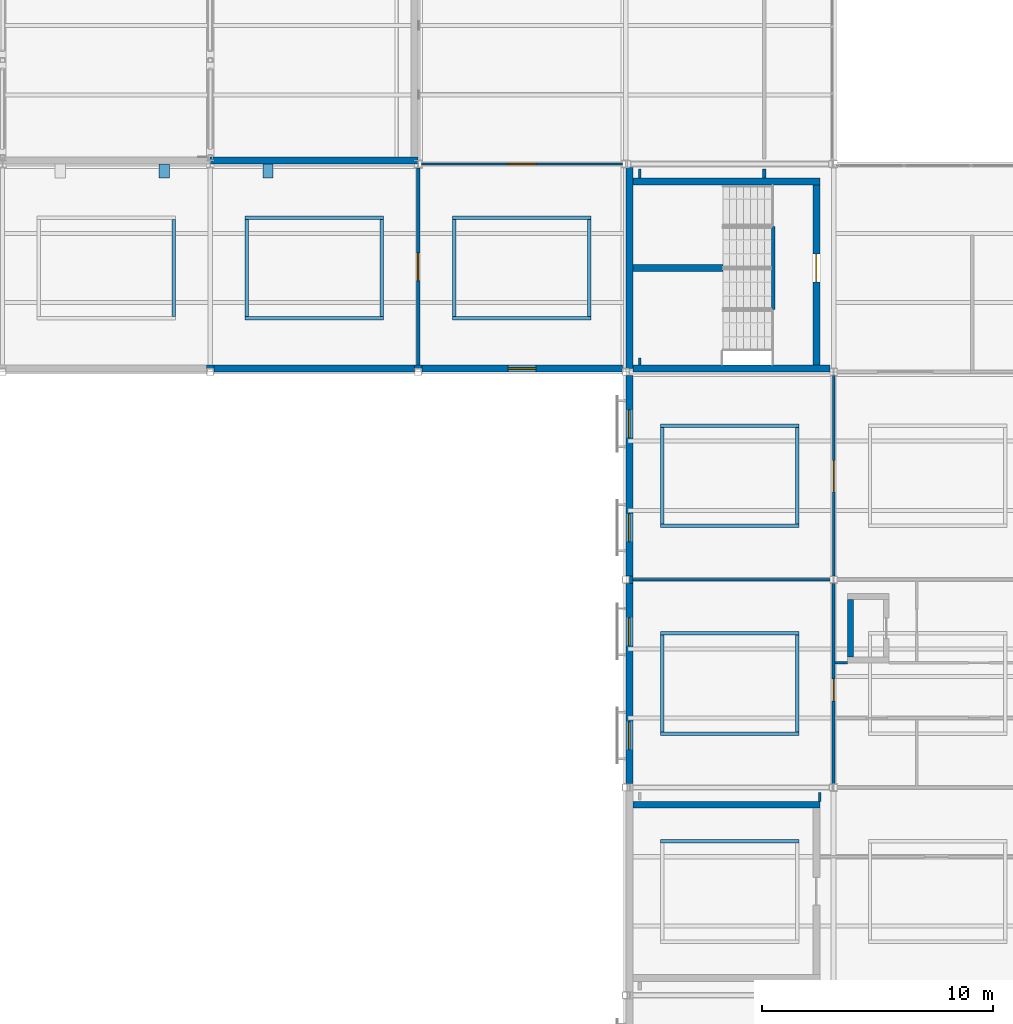
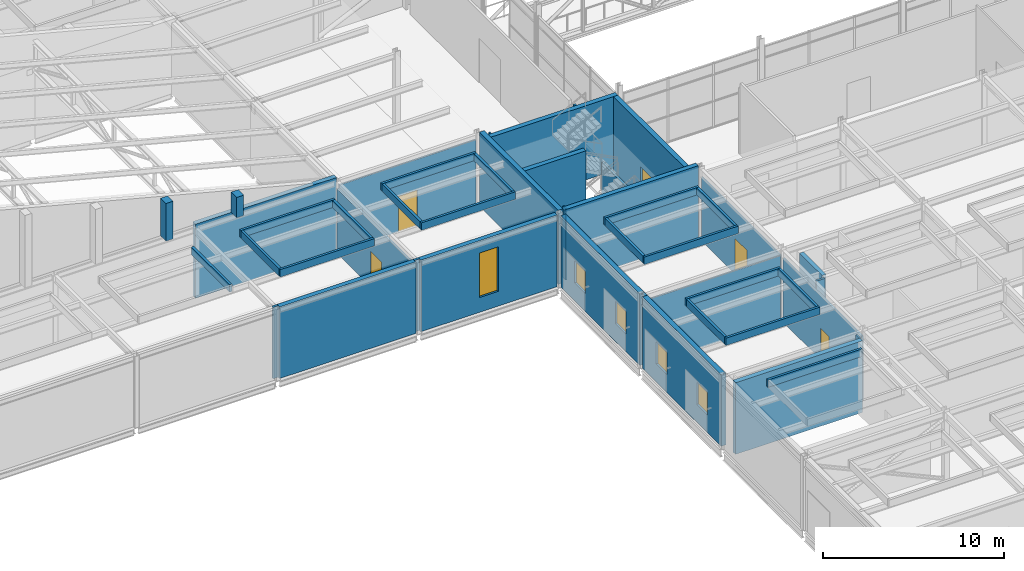
# One storey, part 77 of 115: 46 walls, 5 doors, 5 windows, 10 openings.
"""IFC4 building model written with IfcOpenShell, lengths in metres."""

from ifc_helpers import new_model, si_unit, direction, frame, frame_2d, origin, place, context, subcontext, project, spatial, rectangle, extrude, material, layer, layer_set, type_object, element, fill, save


model = new_model("IFC4")

# Units and contexts
model_context = context("Model", 3, precision=1e-05, world=origin(), true_north=direction((0.0, 1.0)))
body_context = subcontext(model_context, "Body", "Model", "MODEL_VIEW")
ifc_project = project(units=[si_unit("LENGTHUNIT", "METRE"), si_unit("AREAUNIT", "SQUARE_METRE"), si_unit("VOLUMEUNIT", "CUBIC_METRE"), si_unit("PLANEANGLEUNIT", "RADIAN"), si_unit("MASSUNIT", "GRAM", prefix="KILO")], contexts=[model_context])

# Site, building, storey
site_placement = place(None, origin())
site = spatial("IfcSite", under=ifc_project, at=site_placement, CompositionType="ELEMENT")
building_placement = place(site_placement, origin())
building = spatial("IfcBuilding", under=site, at=building_placement, Name="Shorebreak Coast Museum", CompositionType="ELEMENT")
storey_placement = place(building_placement, frame((0.0, 0.0, 11.0)))
storey = spatial("IfcBuildingStorey", under=building, at=storey_placement, Name="L02", CompositionType="ELEMENT", Elevation=11.0)

# Walls
ifc_material_1 = material(Name="Concrete N50 (50 MPa)", Category="concrete")
ifc_layer_1 = layer(ifc_material_1, 0.14990234375)
ifc_layer_set_1 = layer_set([ifc_layer_1], Name="Concrete N50 (50 MPa)")
wall_type_1 = type_object("IfcWallType", Name="Column closure panel 150", PredefinedType="SOLIDWALL", material=ifc_layer_set_1)
for number, where, z_axis, x_axis, name in (
    (1, (35.839111328125, 54.22509765625, 0.0), (0.0, 0.0, 1.0), (1.0, 0.0, 0.0), "Column closure panel L02 S 5G"),
    (2, (44.839111328125, 54.22509765625, 0.0), (0.0, 0.0, 1.0), (1.0, 0.0, 0.0), "Column closure panel L02 S 6G"),
    (3, (54.22509765625, 44.839111328125, 0.0), (0.0, 0.0, 1.0), (0.0, 1.0, 0.0), "Column closure panel L02 W 7F"),
):
    element("IfcWall", number, at=place(storey_placement, frame(where, z_axis=z_axis, x_axis=x_axis)), inside=storey, type_object=wall_type_1, Name=name, PredefinedType="SOLIDWALL", context=body_context, shape_type="SweptSolid", body=[
        extrude(rectangle(XDim=0.32177734375, YDim=0.14990234375, at=frame_2d((0.160888671875, 0.0))), origin(), (0.0, 0.0, 1.0), 4.824951171875),
    ])

# Wall, opening, door
ifc_material_2 = material(Name="Plasterboard on steel stud", Category="steel")
ifc_layer_2 = layer(ifc_material_2, 0.14990234375)
ifc_layer_set_2 = layer_set([ifc_layer_2], Name="Plasterboard on steel stud")
wall_type_2 = type_object("IfcWallType", Name="Fire partition 150", PredefinedType="PARTITIONING", material=ifc_layer_set_2)
wall_1_placement = place(storey_placement, frame((45.0, 54.300048828125, 0.0), z_axis=(0.0, 0.0, 1.0), x_axis=(0.0, 1.0, 0.0)))
wall_1 = element("IfcWall", 4, at=wall_1_placement, inside=storey, type_object=wall_type_2, Name="Partition L02-097", PredefinedType="PARTITIONING", context=body_context, shape_type="SweptSolid", body=[
    extrude(rectangle(XDim=8.536376953125, YDim=0.14990234375, at=frame_2d((4.26806640625, 0.0))), origin(), (0.0, 0.0, 1.0), 4.37109375),
])
opening_1_placement = place(wall_1_placement, frame((3.64990234375, 0.0, 0.0)))
opening_1 = element("IfcOpeningElement", 5, at=opening_1_placement, cuts=wall_1, Name="Opening D2051", PredefinedType="OPENING", context=body_context, shape_type="SweptSolid", body=[
    extrude(rectangle(XDim=1.199951171875, YDim=2.39990234375, at=frame_2d((0.60009765625, 1.199951171875))), frame((0.0, 0.0849609375, 0.0), z_axis=(0.0, -1.0, 0.0), x_axis=(1.0, 0.0, 0.0)), (0.0, 0.0, 1.0), 0.169921875),
])
ifc_material_3 = material(Name="Steel", Category="steel")
door_type_1 = type_object("IfcDoorType", Name="Fire door 1200x2400 60", OperationType="SINGLE_SWING_LEFT", PredefinedType="DOOR", material=ifc_material_3)
door_1_placement = place(opening_1_placement, origin())
door_1 = element("IfcDoor", 6, at=door_1_placement, inside=storey, type_object=door_type_1, Name="Door D2051 Maritime Gallery", OperationType="SINGLE_SWING_LEFT", OverallHeight=2.39990234375, OverallWidth=1.199951171875, PredefinedType="DOOR", context=body_context, shape_type="SweptSolid", body=[
    extrude(rectangle(XDim=1.199951171875, YDim=2.39990234375, at=frame_2d((0.60009765625, 1.199951171875))), frame((0.0, 0.02490234375, 0.0), z_axis=(0.0, -1.0, 0.0), x_axis=(1.0, 0.0, 0.0)), (0.0, 0.0, 1.0), 0.050048828125),
])
fill(opening_1, door_1)

# Walls
wall_2_placement = place(storey_placement, frame((60.0, 62.39990234375, 0.0), z_axis=(0.0, 0.0, 1.0), x_axis=(0.0, 1.0, 0.0)))
element("IfcWall", 7, at=wall_2_placement, inside=storey, type_object=wall_type_2, Name="Partition L02-108", PredefinedType="PARTITIONING", context=body_context, shape_type="SweptSolid", body=[
    extrude(rectangle(XDim=0.380126953125, YDim=0.14990234375, at=frame_2d((0.18994140625, 0.0))), origin(), (0.0, 0.0, 1.0), 4.824951171875),
])
ifc_material_4 = material(Name="Plasterboard on steel stud", Category="steel")
ifc_layer_3 = layer(ifc_material_4, 0.10009765625)
ifc_layer_set_3 = layer_set([ifc_layer_3], Name="Plasterboard on steel stud")
wall_type_3 = type_object("IfcWallType", Name="Partition 100", PredefinedType="PARTITIONING", material=ifc_layer_set_3)
wall_3_placement = place(storey_placement, frame((54.300048828125, 45.0, 0.0), z_axis=(0.0, 0.0, 1.0), x_axis=(1.0, 0.0, 0.0)))
element("IfcWall", 8, at=wall_3_placement, inside=storey, type_object=wall_type_3, Name="Partition L02-026", PredefinedType="PARTITIONING", context=body_context, shape_type="SweptSolid", body=[
    extrude(rectangle(XDim=8.54638671875, YDim=0.10009765625, at=frame_2d((4.273193359375, 0.0))), origin(), (0.0, 0.0, 1.0), 4.418701171875),
])

# Wall, opening, door
wall_4_placement = place(storey_placement, frame((45.155517578125, 63.0, 0.0), z_axis=(0.0, 0.0, 1.0), x_axis=(1.0, 0.0, 0.0)))
wall_4 = element("IfcWall", 9, at=wall_4_placement, inside=storey, type_object=wall_type_3, Name="Partition L02-043", PredefinedType="PARTITIONING", context=body_context, shape_type="SweptSolid", body=[
    extrude(rectangle(XDim=8.69091796875, YDim=0.10009765625, at=frame_2d((4.345458984375, 0.0))), origin(), (0.0, 0.0, 1.0), 4.469482421875),
])
opening_2_placement = place(wall_4_placement, frame((3.75, 0.0, 0.0)))
opening_2 = element("IfcOpeningElement", 10, at=opening_2_placement, cuts=wall_4, Name="Opening D2070", PredefinedType="OPENING", context=body_context, shape_type="SweptSolid", body=[
    extrude(rectangle(XDim=1.199951171875, YDim=2.39990234375, at=frame_2d((0.60009765625, 1.199951171875))), frame((0.0, 0.06005859375, 0.0), z_axis=(0.0, -1.0, 0.0), x_axis=(1.0, 0.0, 0.0)), (0.0, 0.0, 1.0), 0.1201171875),
])
ifc_material_5 = material(Name="Timber", Category="wood")
door_type_2 = type_object("IfcDoorType", Name="Interior door 1200x2400", OperationType="SINGLE_SWING_LEFT", PredefinedType="DOOR", material=ifc_material_5)
door_2_placement = place(opening_2_placement, origin())
door_2 = element("IfcDoor", 11, at=door_2_placement, inside=storey, type_object=door_type_2, Name="Door D2070 Maritime Gallery", OperationType="SINGLE_SWING_LEFT", OverallHeight=2.39990234375, OverallWidth=1.199951171875, PredefinedType="DOOR", context=body_context, shape_type="SweptSolid", body=[
    extrude(rectangle(XDim=1.199951171875, YDim=2.39990234375, at=frame_2d((0.60009765625, 1.199951171875))), frame((0.0, 0.02490234375, 0.0), z_axis=(0.0, -1.0, 0.0), x_axis=(1.0, 0.0, 0.0)), (0.0, 0.0, 1.0), 0.050048828125),
])
fill(opening_2, door_2)

# Walls
wall_5_placement = place(storey_placement, frame((54.60009765625, 54.300048828125, 0.0), z_axis=(0.0, 0.0, 1.0), x_axis=(0.0, 1.0, 0.0)))
element("IfcWall", 12, at=wall_5_placement, inside=storey, type_object=wall_type_3, Name="Partition L02-102", PredefinedType="PARTITIONING", context=body_context, shape_type="SweptSolid", body=[
    extrude(rectangle(XDim=0.300048828125, YDim=0.10009765625, at=frame_2d((0.14990234375, 0.0))), origin(), (0.0, 0.0, 1.0), 4.824951171875),
])
for number, where, z_axis, x_axis, name in (
    (13, (54.60009765625, 62.39990234375, 0.0), (0.0, 0.0, 1.0), (0.0, 1.0, 0.0), "Partition L02-103"),
    (14, (62.39990234375, 35.39990234375, 0.0), (0.0, 0.0, 1.0), (0.0, 1.0, 0.0), "Partition L02-113"),
):
    element("IfcWall", number, at=place(storey_placement, frame(where, z_axis=z_axis, x_axis=x_axis)), inside=storey, type_object=wall_type_3, Name=name, PredefinedType="PARTITIONING", context=body_context, shape_type="SweptSolid", body=[
        extrude(rectangle(XDim=0.380126953125, YDim=0.10009765625, at=frame_2d((0.18994140625, 0.0))), origin(), (0.0, 0.0, 1.0), 4.824951171875),
    ])

# Wall, opening, door
wall_6_placement = place(storey_placement, frame((63.0, 45.1572265625, 0.0), z_axis=(0.0, 0.0, 1.0), x_axis=(0.0, 1.0, 0.0)))
wall_6 = element("IfcWall", 15, at=wall_6_placement, inside=storey, type_object=wall_type_3, Name="Partition L02-116", PredefinedType="PARTITIONING", context=body_context, shape_type="SweptSolid", body=[
    extrude(rectangle(XDim=8.685546875, YDim=0.10009765625, at=frame_2d((4.3427734375, 0.0))), origin(), (0.0, 0.0, 1.0), 4.296875),
])
opening_3_placement = place(wall_6_placement, frame((3.64990234375, 0.0, 0.0)))
opening_3 = element("IfcOpeningElement", 16, at=opening_3_placement, cuts=wall_6, Name="Opening D2045", PredefinedType="OPENING", context=body_context, shape_type="SweptSolid", body=[
    extrude(rectangle(XDim=1.35009765625, YDim=2.39990234375, at=frame_2d((0.675048828125, 1.199951171875))), frame((0.0, 0.06005859375, 0.0), z_axis=(0.0, -1.0, 0.0), x_axis=(1.0, 0.0, 0.0)), (0.0, 0.0, 1.0), 0.1201171875),
])
ifc_material_6 = material(Name="Timber", Category="wood")
door_type_3 = type_object("IfcDoorType", Name="Interior door 1350x2400", OperationType="SINGLE_SWING_LEFT", PredefinedType="DOOR", material=ifc_material_6)
door_3_placement = place(opening_3_placement, origin())
door_3 = element("IfcDoor", 17, at=door_3_placement, inside=storey, type_object=door_type_3, Name="Door D2045 Collection Store 2.03", OperationType="SINGLE_SWING_RIGHT", OverallHeight=2.39990234375, OverallWidth=1.35009765625, PredefinedType="DOOR", context=body_context, shape_type="SweptSolid", body=[
    extrude(rectangle(XDim=1.35009765625, YDim=2.39990234375, at=frame_2d((0.675048828125, 1.199951171875))), frame((0.0, 0.02490234375, 0.0), z_axis=(0.0, -1.0, 0.0), x_axis=(1.0, 0.0, 0.0)), (0.0, 0.0, 1.0), 0.050048828125),
])
fill(opening_3, door_3)

# Wall
ifc_material_7 = material(Name="Plasterboard on steel stud", Category="steel")
ifc_layer_4 = layer(ifc_material_7, 0.125)
ifc_layer_set_4 = layer_set([ifc_layer_4], Name="Plasterboard on steel stud")
wall_type_4 = type_object("IfcWallType", Name="Partition 125", PredefinedType="PARTITIONING", material=ifc_layer_set_4)
wall_7_placement = place(storey_placement, frame((63.0625, 41.39990234375, 0.0), z_axis=(0.0, 0.0, 1.0), x_axis=(1.0, 0.0, 0.0)))
element("IfcWall", 18, at=wall_7_placement, inside=storey, type_object=wall_type_4, Name="Partition L02-022", PredefinedType="PARTITIONING", context=body_context, shape_type="SweptSolid", body=[
    extrude(rectangle(XDim=0.53759765625, YDim=0.125, at=frame_2d((0.268798828125, 0.0))), origin(), (0.0, 0.0, 1.0), 4.824951171875),
])

# Wall, opening, door
wall_8_placement = place(storey_placement, frame((63.0, 36.1572265625, 0.0), z_axis=(0.0, 0.0, 1.0), x_axis=(0.0, 1.0, 0.0)))
wall_8 = element("IfcWall", 19, at=wall_8_placement, inside=storey, type_object=wall_type_4, Name="Partition L02-115", PredefinedType="PARTITIONING", context=body_context, shape_type="SweptSolid", body=[
    extrude(rectangle(XDim=8.685546875, YDim=0.125, at=frame_2d((4.3427734375, 0.0))), origin(), (0.0, 0.0, 1.0), 4.296875),
])
opening_4_placement = place(wall_8_placement, frame((3.5927734375, 0.0, 0.0)))
opening_4 = element("IfcOpeningElement", 20, at=opening_4_placement, cuts=wall_8, Name="Opening D2041", PredefinedType="OPENING", context=body_context, shape_type="SweptSolid", body=[
    extrude(rectangle(XDim=0.949951171875, YDim=2.10009765625, at=frame_2d((0.47509765625, 1.050048828125))), frame((0.0, 0.072509765625, 0.0), z_axis=(0.0, -1.0, 0.0), x_axis=(1.0, 0.0, 0.0)), (0.0, 0.0, 1.0), 0.14501953125),
])
ifc_material_8 = material(Name="Timber", Category="wood")
door_type_4 = type_object("IfcDoorType", Name="Interior door 950x2100", OperationType="SINGLE_SWING_LEFT", PredefinedType="DOOR", material=ifc_material_8)
door_4_placement = place(opening_4_placement, origin())
door_4 = element("IfcDoor", 21, at=door_4_placement, inside=storey, type_object=door_type_4, Name="Door D2041 Collections Office 2.01", OperationType="SINGLE_SWING_LEFT", OverallHeight=2.10009765625, OverallWidth=0.949951171875, PredefinedType="DOOR", context=body_context, shape_type="SweptSolid", body=[
    extrude(rectangle(XDim=0.949951171875, YDim=2.10009765625, at=frame_2d((0.47509765625, 1.050048828125))), frame((0.0, 0.02490234375, 0.0), z_axis=(0.0, -1.0, 0.0), x_axis=(1.0, 0.0, 0.0)), (0.0, 0.0, 1.0), 0.050048828125),
])
fill(opening_4, door_4)

# Walls
ifc_material_9 = material(Name="Concrete N50 (50 MPa)", Category="concrete")
ifc_layer_5 = layer(ifc_material_9, 0.14990234375)
ifc_layer_set_5 = layer_set([ifc_layer_5], Name="Concrete N50 (50 MPa)")
wall_type_5 = type_object("IfcWallType", Name="Planter wall 150 high 500", PredefinedType="PARAPET", material=ifc_layer_set_5)
wall_9_placement = place(storey_placement, frame((34.425048828125, 56.39990234375, 5.0), z_axis=(0.0, 0.0, 1.0), x_axis=(0.0, 1.0, 0.0)))
element("IfcWall", 22, at=wall_9_placement, inside=storey, type_object=wall_type_5, Name="Planter WDECK-S 4 east wall", PredefinedType="PARAPET", context=body_context, shape_type="SweptSolid", body=[
    extrude(rectangle(XDim=4.2001953125, YDim=0.14990234375, at=frame_2d((2.10009765625, 0.0))), origin(), (0.0, 0.0, 1.0), 0.5),
])
for number, where, z_axis, x_axis, name in (
    (23, (37.5, 56.324951171875, 5.0), (0.0, 0.0, 1.0), (1.0, 0.0, 0.0), "Planter WDECK-S 5 south wall"),
    (24, (37.5, 60.675048828125, 5.0), (0.0, 0.0, 1.0), (1.0, 0.0, 0.0), "Planter WDECK-S 5 north wall"),
):
    element("IfcWall", number, at=place(storey_placement, frame(where, z_axis=z_axis, x_axis=x_axis)), inside=storey, type_object=wall_type_5, Name=name, PredefinedType="PARAPET", context=body_context, shape_type="SweptSolid", body=[
        extrude(rectangle(XDim=6.0, YDim=0.14990234375, at=frame_2d((3.0, 0.0))), origin(), (0.0, 0.0, 1.0), 0.5),
    ])
for number, where, z_axis, x_axis, name in (
    (25, (37.574951171875, 56.39990234375, 5.0), (0.0, 0.0, 1.0), (0.0, 1.0, 0.0), "Planter WDECK-S 5 west wall"),
    (26, (43.425048828125, 56.39990234375, 5.0), (0.0, 0.0, 1.0), (0.0, 1.0, 0.0), "Planter WDECK-S 5 east wall"),
):
    element("IfcWall", number, at=place(storey_placement, frame(where, z_axis=z_axis, x_axis=x_axis)), inside=storey, type_object=wall_type_5, Name=name, PredefinedType="PARAPET", context=body_context, shape_type="SweptSolid", body=[
        extrude(rectangle(XDim=4.2001953125, YDim=0.14990234375, at=frame_2d((2.10009765625, 0.0))), origin(), (0.0, 0.0, 1.0), 0.5),
    ])
for number, where, z_axis, x_axis, name in (
    (27, (46.5, 56.324951171875, 5.0), (0.0, 0.0, 1.0), (1.0, 0.0, 0.0), "Planter WDECK-S 6 south wall"),
    (28, (46.5, 60.675048828125, 5.0), (0.0, 0.0, 1.0), (1.0, 0.0, 0.0), "Planter WDECK-S 6 north wall"),
):
    element("IfcWall", number, at=place(storey_placement, frame(where, z_axis=z_axis, x_axis=x_axis)), inside=storey, type_object=wall_type_5, Name=name, PredefinedType="PARAPET", context=body_context, shape_type="SweptSolid", body=[
        extrude(rectangle(XDim=6.0, YDim=0.14990234375, at=frame_2d((3.0, 0.0))), origin(), (0.0, 0.0, 1.0), 0.5),
    ])
for number, where, z_axis, x_axis, name in (
    (29, (46.574951171875, 56.39990234375, 5.0), (0.0, 0.0, 1.0), (0.0, 1.0, 0.0), "Planter WDECK-S 6 west wall"),
    (30, (52.425048828125, 56.39990234375, 5.0), (0.0, 0.0, 1.0), (0.0, 1.0, 0.0), "Planter WDECK-S 6 east wall"),
):
    element("IfcWall", number, at=place(storey_placement, frame(where, z_axis=z_axis, x_axis=x_axis)), inside=storey, type_object=wall_type_5, Name=name, PredefinedType="PARAPET", context=body_context, shape_type="SweptSolid", body=[
        extrude(rectangle(XDim=4.2001953125, YDim=0.14990234375, at=frame_2d((2.10009765625, 0.0))), origin(), (0.0, 0.0, 1.0), 0.5),
    ])
for number, where, z_axis, x_axis, name in (
    (31, (55.5, 33.675048828125, 5.0), (0.0, 0.0, 1.0), (1.0, 0.0, 0.0), "Planter SDECK 37 north wall"),
    (32, (55.5, 38.324951171875, 5.0), (0.0, 0.0, 1.0), (1.0, 0.0, 0.0), "Planter SDECK 44 south wall"),
    (33, (55.5, 42.675048828125, 5.0), (0.0, 0.0, 1.0), (1.0, 0.0, 0.0), "Planter SDECK 44 north wall"),
):
    element("IfcWall", number, at=place(storey_placement, frame(where, z_axis=z_axis, x_axis=x_axis)), inside=storey, type_object=wall_type_5, Name=name, PredefinedType="PARAPET", context=body_context, shape_type="SweptSolid", body=[
        extrude(rectangle(XDim=6.0, YDim=0.14990234375, at=frame_2d((3.0, 0.0))), origin(), (0.0, 0.0, 1.0), 0.5),
    ])
for number, where, z_axis, x_axis, name in (
    (34, (55.574951171875, 38.39990234375, 5.0), (0.0, 0.0, 1.0), (0.0, 1.0, 0.0), "Planter SDECK 44 west wall"),
    (35, (61.425048828125, 38.39990234375, 5.0), (0.0, 0.0, 1.0), (0.0, 1.0, 0.0), "Planter SDECK 44 east wall"),
):
    element("IfcWall", number, at=place(storey_placement, frame(where, z_axis=z_axis, x_axis=x_axis)), inside=storey, type_object=wall_type_5, Name=name, PredefinedType="PARAPET", context=body_context, shape_type="SweptSolid", body=[
        extrude(rectangle(XDim=4.2001953125, YDim=0.14990234375, at=frame_2d((2.10009765625, 0.0))), origin(), (0.0, 0.0, 1.0), 0.5),
    ])
for number, where, z_axis, x_axis, name in (
    (36, (55.5, 47.324951171875, 5.0), (0.0, 0.0, 1.0), (1.0, 0.0, 0.0), "Planter SDECK 51 south wall"),
    (37, (55.5, 51.675048828125, 5.0), (0.0, 0.0, 1.0), (1.0, 0.0, 0.0), "Planter SDECK 51 north wall"),
):
    element("IfcWall", number, at=place(storey_placement, frame(where, z_axis=z_axis, x_axis=x_axis)), inside=storey, type_object=wall_type_5, Name=name, PredefinedType="PARAPET", context=body_context, shape_type="SweptSolid", body=[
        extrude(rectangle(XDim=6.0, YDim=0.14990234375, at=frame_2d((3.0, 0.0))), origin(), (0.0, 0.0, 1.0), 0.5),
    ])
for number, where, z_axis, x_axis, name in (
    (38, (55.574951171875, 47.39990234375, 5.0), (0.0, 0.0, 1.0), (0.0, 1.0, 0.0), "Planter SDECK 51 west wall"),
    (39, (61.425048828125, 47.39990234375, 5.0), (0.0, 0.0, 1.0), (0.0, 1.0, 0.0), "Planter SDECK 51 east wall"),
):
    element("IfcWall", number, at=place(storey_placement, frame(where, z_axis=z_axis, x_axis=x_axis)), inside=storey, type_object=wall_type_5, Name=name, PredefinedType="PARAPET", context=body_context, shape_type="SweptSolid", body=[
        extrude(rectangle(XDim=4.2001953125, YDim=0.14990234375, at=frame_2d((2.10009765625, 0.0))), origin(), (0.0, 0.0, 1.0), 0.5),
    ])
ifc_material_10 = material(Name="Concrete N50 (50 MPa)", Category="concrete")
ifc_layer_6 = layer(ifc_material_10, 0.300048828125)
ifc_layer_set_6 = layer_set([ifc_layer_6], Name="Concrete N50 (50 MPa)")
wall_type_6 = type_object("IfcWallType", Name="Precast board-marked panel 300", PredefinedType="SOLIDWALL", material=ifc_layer_set_6)
wall_10_placement = place(storey_placement, frame((36.160888671875, 54.14990234375, 0.0), z_axis=(0.0, 0.0, 1.0), x_axis=(1.0, 0.0, 0.0)))
element("IfcWall", 40, at=wall_10_placement, inside=storey, type_object=wall_type_6, Name="External wall L02 S 5G", PredefinedType="SOLIDWALL", context=body_context, shape_type="SweptSolid", body=[
    extrude(rectangle(XDim=8.67822265625, YDim=0.300048828125, at=frame_2d((4.339111328125, 0.0))), origin(), (0.0, 0.0, 1.0), 4.824951171875),
])

# Wall, opening, window
wall_11_placement = place(storey_placement, frame((45.160888671875, 54.14990234375, 0.0), z_axis=(0.0, 0.0, 1.0), x_axis=(1.0, 0.0, 0.0)))
wall_11 = element("IfcWall", 41, at=wall_11_placement, inside=storey, type_object=wall_type_6, Name="External wall L02 S 6G", PredefinedType="SOLIDWALL", context=body_context, shape_type="SweptSolid", body=[
    extrude(rectangle(XDim=8.689208984375, YDim=0.300048828125, at=frame_2d((4.3447265625, 0.0))), origin(), (0.0, 0.0, 1.0), 4.824951171875),
])
opening_5_placement = place(wall_11_placement, frame((3.739013671875, 0.0, 1.0)))
opening_5 = element("IfcOpeningElement", 42, at=opening_5_placement, cuts=wall_11, Name="Opening WN2048", PredefinedType="OPENING", context=body_context, shape_type="SweptSolid", body=[
    extrude(rectangle(XDim=1.199951171875, YDim=3.0, at=frame_2d((0.60009765625, 1.5))), frame((0.0, 0.159912109375, 0.0), z_axis=(0.0, -1.0, 0.0), x_axis=(1.0, 0.0, 0.0)), (0.0, 0.0, 1.0), 0.320068359375),
])
ifc_material_11 = material(Name="Aluminium", Category="aluminium")
window_type_1 = type_object("IfcWindowType", Name="Foyer slot window 1200 x 3000", PartitioningType="SINGLE_PANEL", PredefinedType="WINDOW", material=ifc_material_11)
window_1_placement = place(opening_5_placement, origin())
window_1 = element("IfcWindow", 43, at=window_1_placement, inside=storey, type_object=window_type_1, Name="Window WN2048", OverallHeight=3.0, OverallWidth=1.199951171875, PartitioningType="SINGLE_PANEL", PredefinedType="WINDOW", context=body_context, shape_type="SweptSolid", body=[
    extrude(rectangle(XDim=1.199951171875, YDim=3.0, at=frame_2d((0.60009765625, 1.5))), frame((0.0, 0.030029296875, 0.0), z_axis=(0.0, -1.0, 0.0), x_axis=(1.0, 0.0, 0.0)), (0.0, 0.0, 1.0), 0.06005859375),
])
fill(opening_5, window_1)

# Walls
ifc_material_12 = material(Name="Concrete N50 (50 MPa)", Category="concrete")
ifc_layer_7 = layer(ifc_material_12, 0.25)
ifc_layer_set_7 = layer_set([ifc_layer_7], Name="Concrete N50 (50 MPa)")
wall_type_7 = type_object("IfcWallType", Name="RC riser wall 250", PredefinedType="STANDARD", material=ifc_layer_set_7)
wall_12_placement = place(storey_placement, frame((63.72509765625, 41.64990234375, 0.0), z_axis=(0.0, 0.0, 1.0), x_axis=(0.0, 1.0, 0.0)))
element("IfcWall", 44, at=wall_12_placement, inside=storey, type_object=wall_type_7, Name="Riser wall R-WC-S L02 W", PredefinedType="STANDARD", context=body_context, shape_type="SweptSolid", body=[
    extrude(rectangle(XDim=2.5, YDim=0.25, at=frame_2d((1.25, 0.0))), origin(), (0.0, 0.0, 1.0), 4.824951171875),
])
ifc_material_13 = material(Name="Concrete N50 (50 MPa)", Category="concrete")
ifc_layer_8 = layer(ifc_material_13, 0.300048828125)
ifc_layer_set_8 = layer_set([ifc_layer_8], Name="Concrete N50 (50 MPa)")
wall_type_8 = type_object("IfcWallType", Name="RC wall 300", PredefinedType="SHEAR", material=ifc_layer_set_8)
wall_13_placement = place(storey_placement, frame((54.300048828125, 54.14990234375, 0.0), z_axis=(0.0, 0.0, 1.0), x_axis=(1.0, 0.0, 0.0)))
element("IfcWall", 45, at=wall_13_placement, inside=storey, type_object=wall_type_8, Name="Stair core wall ST01 L02 S", PredefinedType="SHEAR", context=body_context, shape_type="SweptSolid", body=[
    extrude(rectangle(XDim=8.54638671875, YDim=0.300048828125, at=frame_2d((4.273193359375, 0.0))), origin(), (0.0, 0.0, 1.0), 5.0),
])
wall_14_placement = place(storey_placement, frame((54.300048828125, 62.25, 0.0), z_axis=(0.0, 0.0, 1.0), x_axis=(1.0, 0.0, 0.0)))
element("IfcWall", 46, at=wall_14_placement, inside=storey, type_object=wall_type_8, Name="Stair core wall ST01 L02 N", PredefinedType="SHEAR", context=body_context, shape_type="SweptSolid", body=[
    extrude(rectangle(XDim=8.099853515625, YDim=0.300048828125, at=frame_2d((4.0498046875, 0.0))), origin(), (0.0, 0.0, 1.0), 5.0),
])
wall_15_placement = place(storey_placement, frame((54.14990234375, 54.14990234375, 0.0), z_axis=(0.0, 0.0, 1.0), x_axis=(0.0, 1.0, 0.0)))
element("IfcWall", 47, at=wall_15_placement, inside=storey, type_object=wall_type_8, Name="Stair core wall ST01 L02 W", PredefinedType="SHEAR", context=body_context, shape_type="SweptSolid", body=[
    extrude(rectangle(XDim=8.69287109375, YDim=0.300048828125, at=frame_2d((4.346435546875, 0.0))), origin(), (0.0, 0.0, 1.0), 5.0),
])

# Wall, opening, door
wall_16_placement = place(storey_placement, frame((62.25, 54.300048828125, 0.0), z_axis=(0.0, 0.0, 1.0), x_axis=(0.0, 1.0, 0.0)))
wall_16 = element("IfcWall", 48, at=wall_16_placement, inside=storey, type_object=wall_type_8, Name="Stair core wall ST01 L02 E", PredefinedType="SHEAR", context=body_context, shape_type="SweptSolid", body=[
    extrude(rectangle(XDim=7.800048828125, YDim=0.300048828125, at=frame_2d((3.89990234375, 0.0))), origin(), (0.0, 0.0, 1.0), 5.0),
])
opening_6_placement = place(wall_16_placement, frame((3.60009765625, 0.0, 0.0)))
opening_6 = element("IfcOpeningElement", 49, at=opening_6_placement, cuts=wall_16, Name="Opening D2801", PredefinedType="OPENING", context=body_context, shape_type="SweptSolid", body=[
    extrude(rectangle(XDim=1.199951171875, YDim=2.10009765625, at=frame_2d((0.60009765625, 1.050048828125))), frame((0.0, 0.159912109375, 0.0), z_axis=(0.0, -1.0, 0.0), x_axis=(1.0, 0.0, 0.0)), (0.0, 0.0, 1.0), 0.320068359375),
])
ifc_material_14 = material(Name="Steel Grade 300", Category="steel")
door_type_5 = type_object("IfcDoorType", Name="Fire door 1200x2100", OperationType="SINGLE_SWING_LEFT", PredefinedType="DOOR", material=ifc_material_14)
door_5_placement = place(opening_6_placement, origin())
door_5 = element("IfcDoor", 50, at=door_5_placement, inside=storey, type_object=door_type_5, Name="Stair door ST01 L02", OperationType="SINGLE_SWING_LEFT", OverallHeight=2.10009765625, OverallWidth=1.199951171875, PredefinedType="DOOR", context=body_context, shape_type="SweptSolid", body=[
    extrude(rectangle(XDim=1.199951171875, YDim=2.10009765625, at=frame_2d((0.60009765625, 1.050048828125))), frame((0.0, 0.02490234375, 0.0), z_axis=(0.0, -1.0, 0.0), x_axis=(1.0, 0.0, 0.0)), (0.0, 0.0, 1.0), 0.050048828125),
])
fill(opening_6, door_5)

# Walls
wall_17_placement = place(storey_placement, frame((54.300048828125, 35.25, 0.0), z_axis=(0.0, 0.0, 1.0), x_axis=(1.0, 0.0, 0.0)))
element("IfcWall", 51, at=wall_17_placement, inside=storey, type_object=wall_type_8, Name="Stair core wall ST13 L02 N", PredefinedType="SHEAR", context=body_context, shape_type="SweptSolid", body=[
    extrude(rectangle(XDim=8.099853515625, YDim=0.300048828125, at=frame_2d((4.0498046875, 0.0))), origin(), (0.0, 0.0, 1.0), 4.824951171875),
])
wall_18_placement = place(storey_placement, frame((58.199951171875, 58.5, 0.0), z_axis=(0.0, 0.0, 1.0), x_axis=(-1.0, 0.0, 0.0)))
element("IfcWall", 52, at=wall_18_placement, inside=storey, type_object=wall_type_8, Name="Stair spine wall ST01 L02", PredefinedType="SHEAR", context=body_context, shape_type="SweptSolid", body=[
    extrude(rectangle(XDim=3.89990234375, YDim=0.300048828125, at=frame_2d((1.949951171875, 0.0))), origin(), (0.0, 0.0, 1.0), 5.0),
])
wall_19_placement = place(storey_placement, frame((36.0, 63.14990234375, 0.0), z_axis=(0.0, 0.0, 1.0), x_axis=(1.0, 0.0, 0.0)))
element("IfcWall", 53, at=wall_19_placement, inside=storey, type_object=wall_type_8, Name="Auditorium wall L02 S3", PredefinedType="SHEAR", context=body_context, shape_type="SweptSolid", body=[
    extrude(rectangle(XDim=9.0, YDim=0.300048828125, at=frame_2d((4.5, 0.0))), origin(), (0.0, 0.0, 1.0), 5.0),
])

# Wall, openings, windows
ifc_material_15 = material(Name="Concrete N50 (50 MPa)", Category="concrete")
ifc_layer_9 = layer(ifc_material_15, 0.300048828125)
ifc_layer_set_9 = layer_set([ifc_layer_9], Name="Concrete N50 (50 MPa)")
wall_type_9 = type_object("IfcWallType", Name="Sand-coloured precast panel 300", PredefinedType="SOLIDWALL", material=ifc_layer_set_9)
wall_20_placement = place(storey_placement, frame((54.14990234375, 36.172119140625, 0.0), z_axis=(0.0, 0.0, 1.0), x_axis=(0.0, 1.0, 0.0)))
wall_20 = element("IfcWall", 54, at=wall_20_placement, inside=storey, type_object=wall_type_9, Name="External wall L02 W 7E", PredefinedType="SOLIDWALL", context=body_context, shape_type="SweptSolid", body=[
    extrude(rectangle(XDim=8.6669921875, YDim=0.300048828125, at=frame_2d((4.33349609375, 0.0))), origin(), (0.0, 0.0, 1.0), 4.824951171875),
])
opening_7_placement = place(wall_20_placement, frame((1.47802734375, 0.0, 1.199951171875)))
opening_7 = element("IfcOpeningElement", 55, at=opening_7_placement, cuts=wall_20, Name="Opening WN2064", PredefinedType="OPENING", context=body_context, shape_type="SweptSolid", body=[
    extrude(rectangle(XDim=1.199951171875, YDim=1.5, at=frame_2d((0.60009765625, 0.75))), frame((0.0, 0.159912109375, 0.0), z_axis=(0.0, -1.0, 0.0), x_axis=(1.0, 0.0, 0.0)), (0.0, 0.0, 1.0), 0.320068359375),
])
opening_8_placement = place(wall_20_placement, frame((5.97802734375, 0.0, 1.199951171875)))
opening_8 = element("IfcOpeningElement", 56, at=opening_8_placement, cuts=wall_20, Name="Opening WN2065", PredefinedType="OPENING", context=body_context, shape_type="SweptSolid", body=[
    extrude(rectangle(XDim=1.199951171875, YDim=1.5, at=frame_2d((0.60009765625, 0.75))), frame((0.0, 0.159912109375, 0.0), z_axis=(0.0, -1.0, 0.0), x_axis=(1.0, 0.0, 0.0)), (0.0, 0.0, 1.0), 0.320068359375),
])
ifc_material_16 = material(Name="Aluminium", Category="aluminium")
window_type_2 = type_object("IfcWindowType", Name="Punched window 1200 x 1500", PartitioningType="SINGLE_PANEL", PredefinedType="WINDOW", material=ifc_material_16)
window_2_placement = place(opening_7_placement, origin())
window_2 = element("IfcWindow", 57, at=window_2_placement, inside=storey, type_object=window_type_2, Name="Window WN2064", OverallHeight=1.5, OverallWidth=1.199951171875, PartitioningType="SINGLE_PANEL", PredefinedType="WINDOW", context=body_context, shape_type="SweptSolid", body=[
    extrude(rectangle(XDim=1.199951171875, YDim=1.5, at=frame_2d((0.60009765625, 0.75))), frame((0.0, 0.030029296875, 0.0), z_axis=(0.0, -1.0, 0.0), x_axis=(1.0, 0.0, 0.0)), (0.0, 0.0, 1.0), 0.06005859375),
])
fill(opening_7, window_2)
window_3_placement = place(opening_8_placement, origin())
window_3 = element("IfcWindow", 58, at=window_3_placement, inside=storey, type_object=window_type_2, Name="Window WN2065", OverallHeight=1.5, OverallWidth=1.199951171875, PartitioningType="SINGLE_PANEL", PredefinedType="WINDOW", context=body_context, shape_type="SweptSolid", body=[
    extrude(rectangle(XDim=1.199951171875, YDim=1.5, at=frame_2d((0.60009765625, 0.75))), frame((0.0, 0.030029296875, 0.0), z_axis=(0.0, -1.0, 0.0), x_axis=(1.0, 0.0, 0.0)), (0.0, 0.0, 1.0), 0.06005859375),
])
fill(opening_8, window_3)

wall_21_placement = place(storey_placement, frame((54.14990234375, 45.160888671875, 0.0), z_axis=(0.0, 0.0, 1.0), x_axis=(0.0, 1.0, 0.0)))
wall_21 = element("IfcWall", 59, at=wall_21_placement, inside=storey, type_object=wall_type_9, Name="External wall L02 W 7F", PredefinedType="SOLIDWALL", context=body_context, shape_type="SweptSolid", body=[
    extrude(rectangle(XDim=8.689208984375, YDim=0.300048828125, at=frame_2d((4.3447265625, 0.0))), origin(), (0.0, 0.0, 1.0), 4.824951171875),
])
opening_9_placement = place(wall_21_placement, frame((1.489013671875, 0.0, 1.199951171875)))
opening_9 = element("IfcOpeningElement", 60, at=opening_9_placement, cuts=wall_21, Name="Opening WN2066", PredefinedType="OPENING", context=body_context, shape_type="SweptSolid", body=[
    extrude(rectangle(XDim=1.199951171875, YDim=1.5, at=frame_2d((0.60009765625, 0.75))), frame((0.0, 0.159912109375, 0.0), z_axis=(0.0, -1.0, 0.0), x_axis=(1.0, 0.0, 0.0)), (0.0, 0.0, 1.0), 0.320068359375),
])
opening_10_placement = place(wall_21_placement, frame((5.989013671875, 0.0, 1.199951171875)))
opening_10 = element("IfcOpeningElement", 61, at=opening_10_placement, cuts=wall_21, Name="Opening WN2067", PredefinedType="OPENING", context=body_context, shape_type="SweptSolid", body=[
    extrude(rectangle(XDim=1.199951171875, YDim=1.5, at=frame_2d((0.60009765625, 0.75))), frame((0.0, 0.159912109375, 0.0), z_axis=(0.0, -1.0, 0.0), x_axis=(1.0, 0.0, 0.0)), (0.0, 0.0, 1.0), 0.320068359375),
])
window_4_placement = place(opening_9_placement, origin())
window_4 = element("IfcWindow", 62, at=window_4_placement, inside=storey, type_object=window_type_2, Name="Window WN2066", OverallHeight=1.5, OverallWidth=1.199951171875, PartitioningType="SINGLE_PANEL", PredefinedType="WINDOW", context=body_context, shape_type="SweptSolid", body=[
    extrude(rectangle(XDim=1.199951171875, YDim=1.5, at=frame_2d((0.60009765625, 0.75))), frame((0.0, 0.030029296875, 0.0), z_axis=(0.0, -1.0, 0.0), x_axis=(1.0, 0.0, 0.0)), (0.0, 0.0, 1.0), 0.06005859375),
])
fill(opening_9, window_4)
window_5_placement = place(opening_10_placement, origin())
window_5 = element("IfcWindow", 63, at=window_5_placement, inside=storey, type_object=window_type_2, Name="Window WN2067", OverallHeight=1.5, OverallWidth=1.199951171875, PartitioningType="SINGLE_PANEL", PredefinedType="WINDOW", context=body_context, shape_type="SweptSolid", body=[
    extrude(rectangle(XDim=1.199951171875, YDim=1.5, at=frame_2d((0.60009765625, 0.75))), frame((0.0, 0.030029296875, 0.0), z_axis=(0.0, -1.0, 0.0), x_axis=(1.0, 0.0, 0.0)), (0.0, 0.0, 1.0), 0.06005859375),
])
fill(opening_10, window_5)

# Walls
ifc_material_17 = material(Name="Concrete N50 (50 MPa)", Category="concrete")
ifc_layer_10 = layer(ifc_material_17, 0.449951171875)
ifc_layer_set_10 = layer_set([ifc_layer_10], Name="Concrete N50 (50 MPa)")
wall_type_10 = type_object("IfcWallType", Name="Shell buttress rib 450", PredefinedType="SOLIDWALL", material=ifc_layer_set_10)
wall_22_placement = place(storey_placement, frame((34.0, 63.0, 5.0), z_axis=(0.0, 0.0, 1.0), x_axis=(0.0, -1.0, 0.0)))
element("IfcWall", 64, at=wall_22_placement, inside=storey, type_object=wall_type_10, Name="Hall side rib S04", PredefinedType="SOLIDWALL", context=body_context, shape_type="SweptSolid", body=[
    extrude(rectangle(XDim=0.60009765625, YDim=0.449951171875, at=frame_2d((0.300048828125, 0.0))), origin(), (0.0, 0.0, 1.0), 2.535400390625),
])
wall_23_placement = place(storey_placement, frame((38.5, 63.0, 5.0), z_axis=(0.0, 0.0, 1.0), x_axis=(0.0, -1.0, 0.0)))
element("IfcWall", 65, at=wall_23_placement, inside=storey, type_object=wall_type_10, Name="Hall side rib S05", PredefinedType="SOLIDWALL", context=body_context, shape_type="SweptSolid", body=[
    extrude(rectangle(XDim=0.60009765625, YDim=0.449951171875, at=frame_2d((0.300048828125, 0.0))), origin(), (0.0, 0.0, 1.0), 1.36865234375),
])
ifc_material_18 = material(Name="Concrete N50 (50 MPa)", Category="concrete")
ifc_layer_11 = layer(ifc_material_18, 0.14990234375)
ifc_layer_set_11 = layer_set([ifc_layer_11], Name="Concrete N50 (50 MPa)")
wall_type_11 = type_object("IfcWallType", Name="Understair wall 150", PredefinedType="STANDARD", material=ifc_layer_set_11)
wall_24_placement = place(storey_placement, frame((60.375, 56.699951171875, 0.0), z_axis=(0.0, 0.0, 1.0), x_axis=(0.0, 1.0, 0.0)))
element("IfcWall", 66, at=wall_24_placement, inside=storey, type_object=wall_type_11, Name="Understair wall ST01 L02 floor", PredefinedType="STANDARD", context=body_context, shape_type="SweptSolid", body=[
    extrude(rectangle(XDim=3.60009765625, YDim=0.14990234375, at=frame_2d((1.800048828125, 0.0))), origin(), (0.0, 0.0, 1.0), 2.300048828125),
])

save(model, "model.ifc")
